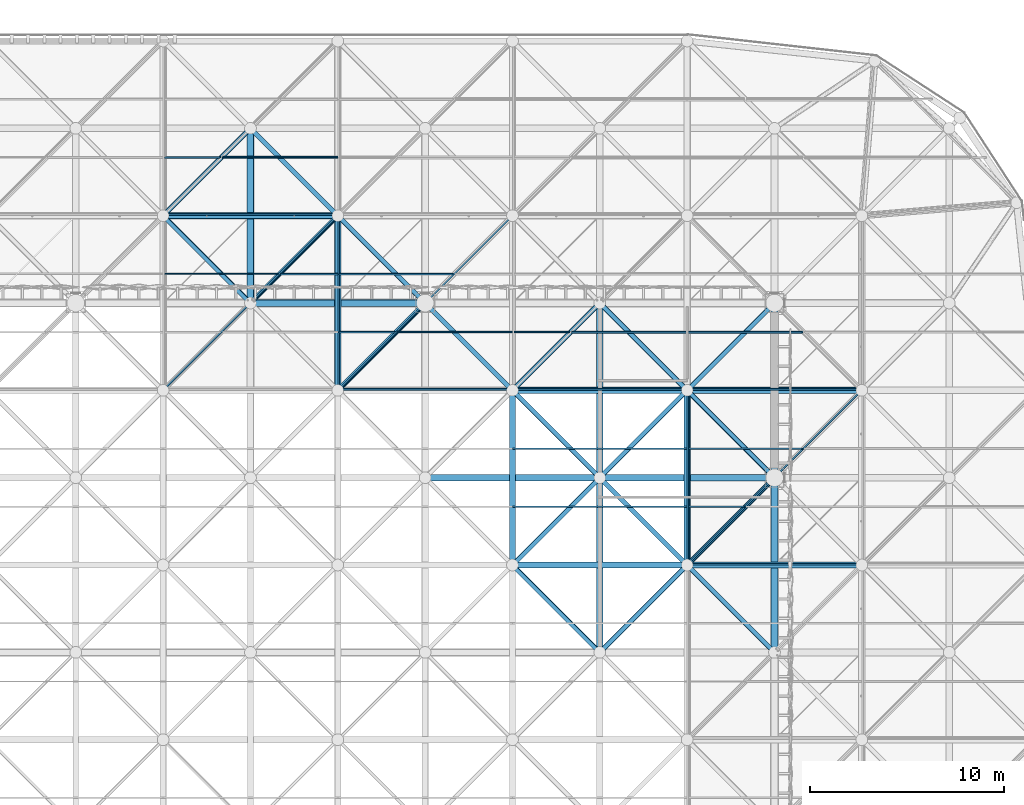
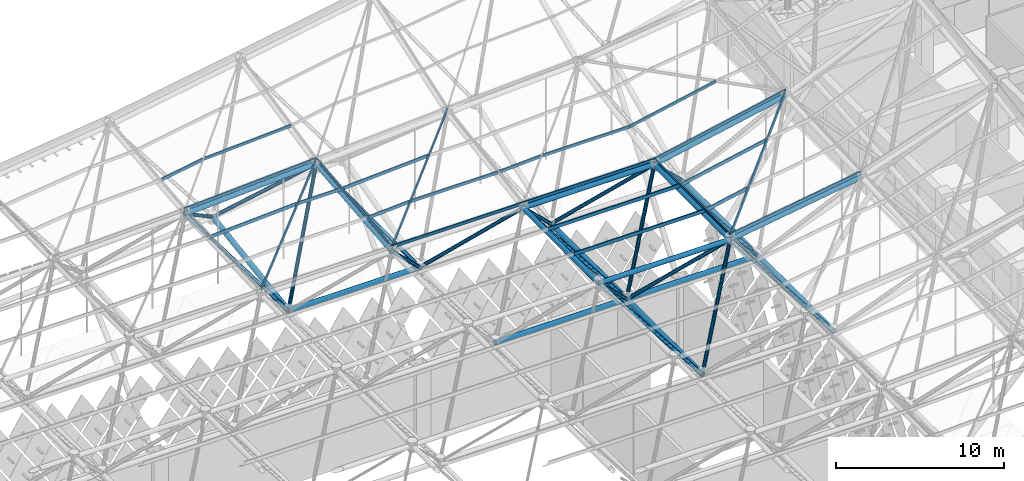
# One storey, part 193 of 437: 59 members.
"""IFC4 building model written with IfcOpenShell, lengths in metres."""

from ifc_helpers import new_model, si_unit, direction, frame, origin, origin_2d, place, context, subcontext, project, spatial, polyline, hollow_circle, outline, extrude, material, material_profile, profile_set, type_object, element, save


model = new_model("IFC4")

# Units and contexts
model_context = context("Model", 3, precision=1e-05, world=origin(), true_north=direction((0.0, 1.0)))
body_context = subcontext(model_context, "Body", "Model", "MODEL_VIEW")
ifc_project = project(units=[si_unit("LENGTHUNIT", "METRE"), si_unit("AREAUNIT", "SQUARE_METRE"), si_unit("VOLUMEUNIT", "CUBIC_METRE"), si_unit("PLANEANGLEUNIT", "RADIAN"), si_unit("MASSUNIT", "GRAM", prefix="KILO")], contexts=[model_context])

# Site, building, storey
site_placement = place(None, origin())
site = spatial("IfcSite", under=ifc_project, at=site_placement, CompositionType="ELEMENT")
building_placement = place(site_placement, origin())
building = spatial("IfcBuilding", under=site, at=building_placement, Name="Opaline Strait Convention Centre", CompositionType="ELEMENT")
storey_placement = place(building_placement, frame((0.0, 0.0, 11.5)))
storey = spatial("IfcBuildingStorey", under=building, at=storey_placement, Name="L02", CompositionType="ELEMENT", Elevation=11.5)

# Members
ifc_material = material(Name="Steel Q355B", Category="steel")
ifc_material_profile_1 = material_profile(ifc_material, outline(polyline([(-0.03759765625, -0.125), (0.03759765625, -0.125), (0.03759765625, -0.10498046875), (0.034912109375, -0.10498046875), (0.034912109375, -0.12255859375), (-0.034912109375, -0.12255859375), (-0.034912109375, 0.12255859375), (0.034912109375, 0.12255859375), (0.034912109375, 0.10498046875), (0.03759765625, 0.10498046875), (0.03759765625, 0.125), (-0.03759765625, 0.125), (-0.03759765625, -0.125)])), Name="C 250x75x20x2.5")
ifc_profile_set_1 = profile_set([ifc_material_profile_1], Name="Steel Q355B")
member_type_1 = type_object("IfcMemberType", Name="Roof purlin C 250x75x20x2.5", PredefinedType="PURLIN", material=ifc_profile_set_1)
for number, where, z_axis, x_axis, name in (
    (1, (247.5, 142.5, 18.257080078125), (1.0, 0.0, 0.0), (0.0, 1.0, 0.0), "EXB-RF-P-18-11-0"),
    (2, (247.5, 145.5, 18.257080078125), (1.0, 0.0, 0.0), (0.0, 1.0, 0.0), "EXB-RF-P-18-11-1"),
):
    element("IfcMember", number, at=place(storey_placement, frame(where, z_axis=z_axis, x_axis=x_axis)), inside=storey, type_object=member_type_1, Name=name, PredefinedType="PURLIN", context=body_context, shape_type="SweptSolid", body=[
        extrude(outline(polyline([(-0.03759765625, -0.125), (0.03759765625, -0.125), (0.03759765625, -0.10498046875), (0.034912109375, -0.10498046875), (0.034912109375, -0.12255859375), (-0.034912109375, -0.12255859375), (-0.034912109375, 0.12255859375), (0.034912109375, 0.12255859375), (0.034912109375, 0.10498046875), (0.03759765625, 0.10498046875), (0.03759765625, 0.125), (-0.03759765625, 0.125), (-0.03759765625, -0.125)])), origin(), (0.0, 0.0, 1.0), 9.0),
    ])
member_1_placement = place(storey_placement, frame((256.5, 139.5, 18.25732421875), z_axis=(0.699848198846, 0.699848198846, 0.142916049287), x_axis=(-0.697561791101, 0.712686479451, -0.074064361226)))
element("IfcMember", 3, at=member_1_placement, inside=storey, type_object=member_type_1, Name="EXB-RF-F-19-11", PredefinedType="PURLIN", context=body_context, shape_type="SweptSolid", body=[
    extrude(outline(polyline([(-0.03759765625, -0.125), (0.03759765625, -0.125), (0.03759765625, -0.10498046875), (0.034912109375, -0.10498046875), (0.034912109375, -0.12255859375), (-0.034912109375, -0.12255859375), (-0.034912109375, 0.12255859375), (0.034912109375, 0.12255859375), (0.034912109375, 0.10498046875), (0.03759765625, 0.10498046875), (0.03759765625, 0.125), (-0.03759765625, 0.125), (-0.03759765625, -0.125)])), origin(), (0.0, 0.0, 1.0), 12.85986328125),
])
member_2_placement = place(storey_placement, frame((256.449951171875, 139.545654296875, 18.2529296875), z_axis=(0.988093016125, 0.0, 0.153857698814), x_axis=(-0.007363297001, 0.998854157138, 0.047287996623)))
element("IfcMember", 4, at=member_2_placement, inside=storey, type_object=member_type_1, Name="EXB-RF-E-19-11a", PredefinedType="PURLIN", context=body_context, shape_type="SweptSolid", body=[
    extrude(outline(polyline([(-0.03759765625, -0.125), (0.03759765625, -0.125), (0.03759765625, -0.10498046875), (0.034912109375, -0.10498046875), (0.034912109375, -0.12255859375), (-0.034912109375, -0.12255859375), (-0.034912109375, 0.12255859375), (0.034912109375, 0.12255859375), (0.034912109375, 0.10498046875), (0.03759765625, 0.10498046875), (0.03759765625, 0.125), (-0.03759765625, 0.125), (-0.03759765625, -0.125)])), origin(), (0.0, 0.0, 1.0), 9.209716796875),
])
member_3_placement = place(storey_placement, frame((256.56396484375, 139.449951171875, 18.272705078125), z_axis=(0.0, 1.0, 0.0), x_axis=(-0.97978004307, 0.0, -0.200077652928)))
element("IfcMember", 5, at=member_3_placement, inside=storey, type_object=member_type_1, Name="EXB-RF-E-19-11b", PredefinedType="PURLIN", context=body_context, shape_type="SweptSolid", body=[
    extrude(outline(polyline([(-0.03759765625, -0.125), (0.03759765625, -0.125), (0.03759765625, -0.10498046875), (0.034912109375, -0.10498046875), (0.034912109375, -0.12255859375), (-0.034912109375, -0.12255859375), (-0.034912109375, 0.12255859375), (0.034912109375, 0.12255859375), (0.034912109375, 0.10498046875), (0.03759765625, 0.10498046875), (0.03759765625, 0.125), (-0.03759765625, 0.125), (-0.03759765625, -0.125)])), origin(), (0.0, 0.0, 1.0), 9.10009765625),
])
member_4_placement = place(storey_placement, frame((256.598388671875, 142.5, 18.27978515625), z_axis=(0.979782251456, 0.0, 0.200066838161), x_axis=(0.0, 1.0, 0.0)))
element("IfcMember", 6, at=member_4_placement, inside=storey, type_object=member_type_1, Name="EXB-RF-P-19-11-0b", PredefinedType="PURLIN", context=body_context, shape_type="SweptSolid", body=[
    extrude(outline(polyline([(-0.03759765625, -0.125), (0.03759765625, -0.125), (0.03759765625, -0.10498046875), (0.034912109375, -0.10498046875), (0.034912109375, -0.12255859375), (-0.034912109375, -0.12255859375), (-0.034912109375, 0.12255859375), (0.034912109375, 0.12255859375), (0.034912109375, 0.10498046875), (0.03759765625, 0.10498046875), (0.03759765625, 0.125), (-0.03759765625, 0.125), (-0.03759765625, -0.125)])), origin(), (0.0, 0.0, 1.0), 2.910400390625),
])
member_5_placement = place(storey_placement, frame((256.598388671875, 145.5, 18.27978515625), z_axis=(0.979783458898, 0.0, 0.200060924894), x_axis=(0.0, 1.0, 0.0)))
element("IfcMember", 7, at=member_5_placement, inside=storey, type_object=member_type_1, Name="EXB-RF-P-19-11-1b", PredefinedType="PURLIN", context=body_context, shape_type="SweptSolid", body=[
    extrude(outline(polyline([(-0.03759765625, -0.125), (0.03759765625, -0.125), (0.03759765625, -0.10498046875), (0.034912109375, -0.10498046875), (0.034912109375, -0.12255859375), (-0.034912109375, -0.12255859375), (-0.034912109375, 0.12255859375), (0.034912109375, 0.12255859375), (0.034912109375, 0.10498046875), (0.03759765625, 0.10498046875), (0.03759765625, 0.125), (-0.03759765625, 0.125), (-0.03759765625, -0.125)])), origin(), (0.0, 0.0, 1.0), 5.972412109375),
])
member_6_placement = place(storey_placement, frame((229.5, 148.5, 18.254638671875), z_axis=(0.705385748856, 0.705385748856, 0.069727258812), x_axis=(-0.706758384602, 0.707423051329, -0.006724004996)))
element("IfcMember", 8, at=member_6_placement, inside=storey, type_object=member_type_1, Name="EXB-RF-F-16-12", PredefinedType="PURLIN", context=body_context, shape_type="SweptSolid", body=[
    extrude(outline(polyline([(-0.03759765625, -0.125), (0.03759765625, -0.125), (0.03759765625, -0.10498046875), (0.034912109375, -0.10498046875), (0.034912109375, -0.12255859375), (-0.034912109375, -0.12255859375), (-0.034912109375, 0.12255859375), (0.034912109375, 0.12255859375), (0.034912109375, 0.10498046875), (0.03759765625, 0.10498046875), (0.03759765625, 0.125), (-0.03759765625, 0.125), (-0.03759765625, -0.125)])), origin(), (0.0, 0.0, 1.0), 12.759033203125),
])
member_7_placement = place(storey_placement, frame((235.550048828125, 154.5, 18.850341796875), z_axis=(1.0, 0.0, 0.0), x_axis=(0.0, 0.995149078082, 0.098378414266)))
element("IfcMember", 9, at=member_7_placement, inside=storey, type_object=member_type_1, Name="EXB-RF-P-16-12-1a", PredefinedType="PURLIN", context=body_context, shape_type="SweptSolid", body=[
    extrude(outline(polyline([(-0.03759765625, -0.125), (0.03759765625, -0.125), (0.03759765625, -0.10498046875), (0.034912109375, -0.10498046875), (0.034912109375, -0.12255859375), (-0.034912109375, -0.12255859375), (-0.034912109375, 0.12255859375), (0.034912109375, 0.12255859375), (0.034912109375, 0.10498046875), (0.03759765625, 0.10498046875), (0.03759765625, 0.125), (-0.03759765625, 0.125), (-0.03759765625, -0.125)])), origin(), (0.0, 0.0, 1.0), 2.949951171875),
])
member_8_placement = place(storey_placement, frame((229.5810546875, 154.5, 18.529541015625), z_axis=(0.998534214741, 0.0, 0.054124135023), x_axis=(-0.002414276433, 0.999004644434, 0.044540898827)))
element("IfcMember", 10, at=member_8_placement, inside=storey, type_object=member_type_1, Name="EXB-RF-P-16-12-1b", PredefinedType="PURLIN", context=body_context, shape_type="SweptSolid", body=[
    extrude(outline(polyline([(-0.03759765625, -0.125), (0.03759765625, -0.125), (0.03759765625, -0.10498046875), (0.034912109375, -0.10498046875), (0.034912109375, -0.12255859375), (-0.034912109375, -0.12255859375), (-0.034912109375, 0.12255859375), (0.034912109375, 0.12255859375), (0.034912109375, 0.10498046875), (0.03759765625, 0.10498046875), (0.03759765625, 0.125), (-0.03759765625, 0.125), (-0.03759765625, -0.125)])), origin(), (0.0, 0.0, 1.0), 5.87744140625),
])
member_9_placement = place(storey_placement, frame((238.5, 148.5, 18.2548828125), z_axis=(0.702859440181, 0.702859440181, 0.109440461877), x_axis=(-0.709082248744, 0.704515580248, 0.029328513489)))
element("IfcMember", 11, at=member_9_placement, inside=storey, type_object=member_type_1, Name="EXB-RF-F-17-12", PredefinedType="PURLIN", context=body_context, shape_type="SweptSolid", body=[
    extrude(outline(polyline([(-0.03759765625, -0.125), (0.03759765625, -0.125), (0.03759765625, -0.10498046875), (0.034912109375, -0.10498046875), (0.034912109375, -0.12255859375), (-0.034912109375, -0.12255859375), (-0.034912109375, 0.12255859375), (0.034912109375, 0.12255859375), (0.034912109375, 0.10498046875), (0.03759765625, 0.10498046875), (0.03759765625, 0.125), (-0.03759765625, 0.125), (-0.03759765625, -0.125)])), origin(), (0.0, 0.0, 1.0), 12.804931640625),
])
member_10_placement = place(storey_placement, frame((238.449951171875, 148.558349609375, 18.2666015625), z_axis=(1.0, 0.0, 0.0), x_axis=(0.0, 0.988092083083, 0.153863690806)))
element("IfcMember", 12, at=member_10_placement, inside=storey, type_object=member_type_1, Name="EXB-RF-E-17-12a", PredefinedType="PURLIN", context=body_context, shape_type="SweptSolid", body=[
    extrude(outline(polyline([(-0.03759765625, -0.125), (0.03759765625, -0.125), (0.03759765625, -0.10498046875), (0.034912109375, -0.10498046875), (0.034912109375, -0.12255859375), (-0.034912109375, -0.12255859375), (-0.034912109375, 0.12255859375), (0.034912109375, 0.12255859375), (0.034912109375, 0.10498046875), (0.03759765625, 0.10498046875), (0.03759765625, 0.125), (-0.03759765625, 0.125), (-0.03759765625, -0.125)])), origin(), (0.0, 0.0, 1.0), 9.10009765625),
])
member_11_placement = place(storey_placement, frame((241.550048828125, 151.5, 18.724609375), z_axis=(1.0, 0.0, 0.0), x_axis=(0.0, 0.988092083083, 0.153863690806)))
element("IfcMember", 13, at=member_11_placement, inside=storey, type_object=member_type_1, Name="EXB-RF-P-17-12-0a", PredefinedType="PURLIN", context=body_context, shape_type="SweptSolid", body=[
    extrude(outline(polyline([(-0.03759765625, -0.125), (0.03759765625, -0.125), (0.03759765625, -0.10498046875), (0.034912109375, -0.10498046875), (0.034912109375, -0.12255859375), (-0.034912109375, -0.12255859375), (-0.034912109375, 0.12255859375), (0.034912109375, 0.12255859375), (0.034912109375, 0.10498046875), (0.03759765625, 0.10498046875), (0.03759765625, 0.125), (-0.03759765625, 0.125), (-0.03759765625, -0.125)])), origin(), (0.0, 0.0, 1.0), 5.949951171875),
])
member_12_placement = place(storey_placement, frame((238.546875, 148.449951171875, 18.255126953125), z_axis=(0.0, 0.99514863855, 0.098382860253), x_axis=(-0.998402930819, 0.005558054974, -0.056220065425)))
element("IfcMember", 14, at=member_12_placement, inside=storey, type_object=member_type_1, Name="EXB-RF-E-17-12b", PredefinedType="PURLIN", context=body_context, shape_type="SweptSolid", body=[
    extrude(outline(polyline([(-0.03759765625, -0.125), (0.03759765625, -0.125), (0.03759765625, -0.10498046875), (0.034912109375, -0.10498046875), (0.034912109375, -0.12255859375), (-0.034912109375, -0.12255859375), (-0.034912109375, 0.12255859375), (0.034912109375, 0.12255859375), (0.034912109375, 0.10498046875), (0.03759765625, 0.10498046875), (0.03759765625, 0.125), (-0.03759765625, 0.125), (-0.03759765625, -0.125)])), origin(), (0.0, 0.0, 1.0), 9.14453125),
])
member_13_placement = place(storey_placement, frame((238.581298828125, 151.5, 18.55859375), z_axis=(0.998387885039, 0.0, 0.056759413379), x_axis=(-0.005583901083, 0.995149078082, 0.098219816952)))
element("IfcMember", 15, at=member_13_placement, inside=storey, type_object=member_type_1, Name="EXB-RF-P-17-12-0b", PredefinedType="PURLIN", context=body_context, shape_type="SweptSolid", body=[
    extrude(outline(polyline([(-0.03759765625, -0.125), (0.03759765625, -0.125), (0.03759765625, -0.10498046875), (0.034912109375, -0.10498046875), (0.034912109375, -0.12255859375), (-0.034912109375, -0.12255859375), (-0.034912109375, 0.12255859375), (0.034912109375, 0.12255859375), (0.034912109375, 0.10498046875), (0.03759765625, 0.10498046875), (0.03759765625, 0.125), (-0.03759765625, 0.125), (-0.03759765625, -0.125)])), origin(), (0.0, 0.0, 1.0), 2.873291015625),
])
member_14_placement = place(storey_placement, frame((238.581298828125, 154.5, 18.855224609375), z_axis=(0.998389263673, 0.0, 0.056735158257), x_axis=(-0.005581514902, 0.995149078082, 0.09821995258)))
element("IfcMember", 16, at=member_14_placement, inside=storey, type_object=member_type_1, Name="EXB-RF-P-17-12-1b", PredefinedType="PURLIN", context=body_context, shape_type="SweptSolid", body=[
    extrude(outline(polyline([(-0.03759765625, -0.125), (0.03759765625, -0.125), (0.03759765625, -0.10498046875), (0.034912109375, -0.10498046875), (0.034912109375, -0.12255859375), (-0.034912109375, -0.12255859375), (-0.034912109375, 0.12255859375), (0.034912109375, 0.12255859375), (0.034912109375, 0.10498046875), (0.03759765625, 0.10498046875), (0.03759765625, 0.125), (-0.03759765625, 0.125), (-0.03759765625, -0.125)])), origin(), (0.0, 0.0, 1.0), 5.878173828125),
])
member_15_placement = place(storey_placement, frame((247.449951171875, 148.56396484375, 18.270751953125), z_axis=(1.0, 0.0, 0.0), x_axis=(0.0, 0.97978004307, 0.200077652928)))
element("IfcMember", 17, at=member_15_placement, inside=storey, type_object=member_type_1, Name="EXB-RF-E-18-12a", PredefinedType="PURLIN", context=body_context, shape_type="SweptSolid", body=[
    extrude(outline(polyline([(-0.03759765625, -0.125), (0.03759765625, -0.125), (0.03759765625, -0.10498046875), (0.034912109375, -0.10498046875), (0.034912109375, -0.12255859375), (-0.034912109375, -0.12255859375), (-0.034912109375, 0.12255859375), (0.034912109375, 0.12255859375), (0.034912109375, 0.10498046875), (0.03759765625, 0.10498046875), (0.03759765625, 0.125), (-0.03759765625, 0.125), (-0.03759765625, -0.125)])), origin(), (0.0, 0.0, 1.0), 9.10009765625),
])
member_16_placement = place(storey_placement, frame((250.550048828125, 151.5, 18.870361328125), z_axis=(1.0, 0.0, 0.0), x_axis=(0.0, 0.97978004307, 0.200077652928)))
element("IfcMember", 18, at=member_16_placement, inside=storey, type_object=member_type_1, Name="EXB-RF-P-18-12-0a", PredefinedType="PURLIN", context=body_context, shape_type="SweptSolid", body=[
    extrude(outline(polyline([(-0.03759765625, -0.125), (0.03759765625, -0.125), (0.03759765625, -0.10498046875), (0.034912109375, -0.10498046875), (0.034912109375, -0.12255859375), (-0.034912109375, -0.12255859375), (-0.034912109375, 0.12255859375), (0.034912109375, 0.12255859375), (0.034912109375, 0.10498046875), (0.03759765625, 0.10498046875), (0.03759765625, 0.125), (-0.03759765625, 0.125), (-0.03759765625, -0.125)])), origin(), (0.0, 0.0, 1.0), 5.949951171875),
])
member_17_placement = place(storey_placement, frame((247.580322265625, 151.5, 18.728515625), z_axis=(0.998826229539, 0.0, 0.048437208681), x_axis=(-0.0074527277, 0.988092083083, 0.153683090151)))
element("IfcMember", 19, at=member_17_placement, inside=storey, type_object=member_type_1, Name="EXB-RF-P-18-12-0b", PredefinedType="PURLIN", context=body_context, shape_type="SweptSolid", body=[
    extrude(outline(polyline([(-0.03759765625, -0.125), (0.03759765625, -0.125), (0.03759765625, -0.10498046875), (0.034912109375, -0.10498046875), (0.034912109375, -0.12255859375), (-0.034912109375, -0.12255859375), (-0.034912109375, 0.12255859375), (0.034912109375, 0.12255859375), (0.034912109375, 0.10498046875), (0.03759765625, 0.10498046875), (0.03759765625, 0.125), (-0.03759765625, 0.125), (-0.03759765625, -0.125)])), origin(), (0.0, 0.0, 1.0), 2.873046875),
])
member_18_placement = place(storey_placement, frame((256.449951171875, 148.5634765625, 18.26318359375), z_axis=(0.979783138157, 0.0, 0.200062495694), x_axis=(-0.039250095094, 0.980566065775, 0.192222841219)))
element("IfcMember", 20, at=member_18_placement, inside=storey, type_object=member_type_1, Name="EXB-RF-E-19-12b", PredefinedType="PURLIN", context=body_context, shape_type="SweptSolid", body=[
    extrude(outline(polyline([(-0.03759765625, -0.125), (0.03759765625, -0.125), (0.03759765625, -0.10498046875), (0.034912109375, -0.10498046875), (0.034912109375, -0.12255859375), (-0.034912109375, -0.12255859375), (-0.034912109375, 0.12255859375), (0.034912109375, 0.12255859375), (0.034912109375, 0.10498046875), (0.03759765625, 0.10498046875), (0.03759765625, 0.125), (-0.03759765625, 0.125), (-0.03759765625, -0.125)])), origin(), (0.0, 0.0, 1.0), 9.287841796875),
])
member_19_placement = place(storey_placement, frame((256.5, 151.5, 18.872802734375), z_axis=(0.979777848747, 0.0, 0.200088398228), x_axis=(-0.040033217095, 0.97978004307, 0.196031652368)))
element("IfcMember", 21, at=member_19_placement, inside=storey, type_object=member_type_1, Name="EXB-RF-P-19-12-0b", PredefinedType="PURLIN", context=body_context, shape_type="SweptSolid", body=[
    extrude(outline(polyline([(-0.03759765625, -0.125), (0.03759765625, -0.125), (0.03759765625, -0.10498046875), (0.034912109375, -0.10498046875), (0.034912109375, -0.12255859375), (-0.034912109375, -0.12255859375), (-0.034912109375, 0.12255859375), (0.034912109375, 0.12255859375), (0.034912109375, 0.10498046875), (0.03759765625, 0.10498046875), (0.03759765625, 0.125), (-0.03759765625, 0.125), (-0.03759765625, -0.125)])), origin(), (0.0, 0.0, 1.0), 6.07275390625),
])
member_20_placement = place(storey_placement, frame((229.449951171875, 157.565673828125, 18.671630859375), z_axis=(0.998533323421, 0.0, 0.054140576451), x_axis=(-0.011602359597, 0.976767751484, 0.213986319453)))
element("IfcMember", 22, at=member_20_placement, inside=storey, type_object=member_type_1, Name="EXB-RF-E-16-13a", PredefinedType="PURLIN", context=body_context, shape_type="SweptSolid", body=[
    extrude(outline(polyline([(-0.03759765625, -0.125), (0.03759765625, -0.125), (0.03759765625, -0.10498046875), (0.034912109375, -0.10498046875), (0.034912109375, -0.12255859375), (-0.034912109375, -0.12255859375), (-0.034912109375, 0.12255859375), (0.034912109375, 0.12255859375), (0.034912109375, 0.10498046875), (0.03759765625, 0.10498046875), (0.03759765625, 0.125), (-0.03759765625, 0.125), (-0.03759765625, -0.125)])), origin(), (0.0, 0.0, 1.0), 9.113525390625),
])
member_21_placement = place(storey_placement, frame((232.550048828125, 160.5, 19.484375), z_axis=(0.998534204977, 0.0, 0.05412431516), x_axis=(-0.011615113786, 0.976701876974, 0.214286099985)))
element("IfcMember", 23, at=member_21_placement, inside=storey, type_object=member_type_1, Name="EXB-RF-P-16-13-0a", PredefinedType="PURLIN", context=body_context, shape_type="SweptSolid", body=[
    extrude(outline(polyline([(-0.03759765625, -0.125), (0.03759765625, -0.125), (0.03759765625, -0.10498046875), (0.034912109375, -0.10498046875), (0.034912109375, -0.12255859375), (-0.034912109375, -0.12255859375), (-0.034912109375, 0.12255859375), (0.034912109375, 0.12255859375), (0.034912109375, 0.10498046875), (0.03759765625, 0.10498046875), (0.03759765625, 0.125), (-0.03759765625, 0.125), (-0.03759765625, -0.125)])), origin(), (0.0, 0.0, 1.0), 5.958740234375),
])
member_22_placement = place(storey_placement, frame((229.594482421875, 160.5, 18.989501953125), z_axis=(0.985902048342, 0.0, 0.167323492301), x_axis=(-0.017344553021, 0.994612915883, 0.10219742677)))
element("IfcMember", 24, at=member_22_placement, inside=storey, type_object=member_type_1, Name="EXB-RF-P-16-13-0b", PredefinedType="PURLIN", context=body_context, shape_type="SweptSolid", body=[
    extrude(outline(polyline([(-0.03759765625, -0.125), (0.03759765625, -0.125), (0.03759765625, -0.10498046875), (0.034912109375, -0.10498046875), (0.034912109375, -0.12255859375), (-0.034912109375, -0.12255859375), (-0.034912109375, 0.12255859375), (0.034912109375, 0.12255859375), (0.034912109375, 0.10498046875), (0.03759765625, 0.10498046875), (0.03759765625, 0.125), (-0.03759765625, 0.125), (-0.03759765625, -0.125)])), origin(), (0.0, 0.0, 1.0), 2.896240234375),
])
ifc_material_profile_2 = material_profile(ifc_material, hollow_circle(Radius=0.175537109375, WallThickness=0.01611328125, at=origin_2d()), Name="CHS 351x16")
ifc_profile_set_2 = profile_set([ifc_material_profile_2], Name="Steel Q355B")
member_type_2 = type_object("IfcMemberType", Name="Space frame bottom chord CHS 351x16", PredefinedType="CHORD", material=ifc_profile_set_2)
for number, where, z_axis, x_axis, name in (
    (25, (242.949951171875, 144.0, 12.5), (1.0, 0.0, 0.0), (0.0, 1.0, 0.0), "EXB-RF-BX-17-11"),
    (26, (251.949951171875, 144.0, 12.5), (1.0, 0.0, 0.0), (0.0, 1.0, 0.0), "EXB-RF-BX-18-11"),
    (27, (233.949951171875, 153.0, 12.5), (1.0, 0.0, 0.0), (0.0, 1.0, 0.0), "EXB-RF-BX-16-12"),
):
    element("IfcMember", number, at=place(storey_placement, frame(where, z_axis=z_axis, x_axis=x_axis)), inside=storey, type_object=member_type_2, Name=name, PredefinedType="CHORD", context=body_context, shape_type="SweptSolid", body=[
        extrude(hollow_circle(Radius=0.175537109375, WallThickness=0.01611328125, at=origin_2d()), origin(), (0.0, 0.0, 1.0), 9.10009765625),
    ])
member_23_placement = place(storey_placement, frame((234.0, 152.950439453125, 12.49267578125), z_axis=(0.0, 0.988864228986, 0.148820484582), x_axis=(-1.0, 0.0, 0.0)))
element("IfcMember", 28, at=member_23_placement, inside=storey, type_object=member_type_2, Name="EXB-RF-BY-16-12", PredefinedType="CHORD", context=body_context, shape_type="SweptSolid", body=[
    extrude(hollow_circle(Radius=0.175537109375, WallThickness=0.01611328125, at=origin_2d()), origin(), (0.0, 0.0, 1.0), 9.20166015625),
])
for number, where, z_axis, x_axis, name in (
    (29, (252.0, 134.949951171875, 12.5), (0.0, 1.0, 0.0), (-1.0, 0.0, 0.0), "EXB-RF-BY-18-10"),
    (30, (252.0, 143.949951171875, 12.5), (0.0, 1.0, 0.0), (-1.0, 0.0, 0.0), "EXB-RF-BY-18-11"),
    (31, (261.0, 134.949951171875, 12.5), (0.0, 1.0, 0.0), (-1.0, 0.0, 0.0), "EXB-RF-BY-19-10"),
    (32, (261.0, 143.949951171875, 12.5), (0.0, 1.0, 0.0), (-1.0, 0.0, 0.0), "EXB-RF-BY-19-11"),
):
    element("IfcMember", number, at=place(storey_placement, frame(where, z_axis=z_axis, x_axis=x_axis)), inside=storey, type_object=member_type_2, Name=name, PredefinedType="CHORD", context=body_context, shape_type="SweptSolid", body=[
        extrude(hollow_circle(Radius=0.175537109375, WallThickness=0.01611328125, at=origin_2d()), origin(), (0.0, 0.0, 1.0), 9.10009765625),
    ])
ifc_material_profile_3 = material_profile(ifc_material, hollow_circle(Radius=0.16259765625, WallThickness=0.02001953125, at=origin_2d()), Name="CHS 325x20")
ifc_profile_set_3 = profile_set([ifc_material_profile_3], Name="Steel Q355B")
member_type_3 = type_object("IfcMemberType", Name="Space frame top chord CHS 325x20", PredefinedType="CHORD", material=ifc_profile_set_3)
member_24_placement = place(storey_placement, frame((247.449951171875, 139.5, 17.971435546875), z_axis=(1.0, 0.0, 0.0), x_axis=(0.0, 1.0, 0.0)))
element("IfcMember", 33, at=member_24_placement, inside=storey, type_object=member_type_3, Name="EXB-RF-TX-18-11", PredefinedType="CHORD", context=body_context, shape_type="SweptSolid", body=[
    extrude(hollow_circle(Radius=0.16259765625, WallThickness=0.02001953125, at=origin_2d()), origin(), (0.0, 0.0, 1.0), 9.10009765625),
])
member_25_placement = place(storey_placement, frame((256.45068359375, 139.5, 17.9638671875), z_axis=(0.988093281059, 0.0, 0.15385599737), x_axis=(0.0, 1.0, 0.0)))
element("IfcMember", 34, at=member_25_placement, inside=storey, type_object=member_type_3, Name="EXB-RF-TX-19-11", PredefinedType="CHORD", context=body_context, shape_type="SweptSolid", body=[
    extrude(hollow_circle(Radius=0.16259765625, WallThickness=0.02001953125, at=origin_2d()), origin(), (0.0, 0.0, 1.0), 9.208251953125),
])
member_26_placement = place(storey_placement, frame((247.449951171875, 148.5, 17.971435546875), z_axis=(1.0, 0.0, 0.0), x_axis=(0.0, 1.0, 0.0)))
element("IfcMember", 35, at=member_26_placement, inside=storey, type_object=member_type_3, Name="EXB-RF-TX-18-12", PredefinedType="CHORD", context=body_context, shape_type="SweptSolid", body=[
    extrude(hollow_circle(Radius=0.16259765625, WallThickness=0.02001953125, at=origin_2d()), origin(), (0.0, 0.0, 1.0), 9.10009765625),
])
member_27_placement = place(storey_placement, frame((256.450927734375, 148.5, 17.96142578125), z_axis=(0.979779873088, 0.0, 0.200078485327), x_axis=(0.0, 1.0, 0.0)))
element("IfcMember", 36, at=member_27_placement, inside=storey, type_object=member_type_3, Name="EXB-RF-TX-19-12", PredefinedType="CHORD", context=body_context, shape_type="SweptSolid", body=[
    extrude(hollow_circle(Radius=0.16259765625, WallThickness=0.02001953125, at=origin_2d()), origin(), (0.0, 0.0, 1.0), 9.285888671875),
])
member_28_placement = place(storey_placement, frame((229.4501953125, 157.5, 18.37060546875), z_axis=(0.99853316636, 0.0, 0.054143473095), x_axis=(0.0, 1.0, 0.0)))
element("IfcMember", 37, at=member_28_placement, inside=storey, type_object=member_type_3, Name="EXB-RF-TX-16-13", PredefinedType="CHORD", context=body_context, shape_type="SweptSolid", body=[
    extrude(hollow_circle(Radius=0.16259765625, WallThickness=0.02001953125, at=origin_2d()), origin(), (0.0, 0.0, 1.0), 9.113037109375),
])
member_29_placement = place(storey_placement, frame((238.5, 148.4501953125, 17.966552734375), z_axis=(0.0, 0.995148121675, 0.098388088334), x_axis=(-1.0, 0.0, 0.0)))
element("IfcMember", 38, at=member_29_placement, inside=storey, type_object=member_type_3, Name="EXB-RF-TY-17-12", PredefinedType="CHORD", context=body_context, shape_type="SweptSolid", body=[
    extrude(hollow_circle(Radius=0.16259765625, WallThickness=0.02001953125, at=origin_2d()), origin(), (0.0, 0.0, 1.0), 9.14404296875),
])
for number, where, z_axis, x_axis, name in (
    (39, (247.5, 139.449951171875, 17.971435546875), (0.0, 1.0, 0.0), (-1.0, 0.0, 0.0), "EXB-RF-TY-18-11"),
    (40, (256.5, 139.449951171875, 17.971435546875), (0.0, 1.0, 0.0), (-1.0, 0.0, 0.0), "EXB-RF-TY-19-11"),
):
    element("IfcMember", number, at=place(storey_placement, frame(where, z_axis=z_axis, x_axis=x_axis)), inside=storey, type_object=member_type_3, Name=name, PredefinedType="CHORD", context=body_context, shape_type="SweptSolid", body=[
        extrude(hollow_circle(Radius=0.16259765625, WallThickness=0.02001953125, at=origin_2d()), origin(), (0.0, 0.0, 1.0), 9.10009765625),
    ])
ifc_material_profile_4 = material_profile(ifc_material, hollow_circle(Radius=0.12255859375, WallThickness=0.011962890625, at=origin_2d()), Name="CHS 245x12")
ifc_profile_set_4 = profile_set([ifc_material_profile_4], Name="Steel Q355B")
member_type_4 = type_object("IfcMemberType", Name="Space frame web CHS 245x12", PredefinedType="BRACE", material=ifc_profile_set_4)
member_30_placement = place(storey_placement, frame((229.47412109375, 157.52587890625, 18.4072265625), z_axis=(0.519617871627, -0.519617871627, -0.678228969429), x_axis=(0.707106781187, 0.707106781187, 0.0)))
element("IfcMember", 41, at=member_30_placement, inside=storey, type_object=member_type_4, Name="EXB-RF-W-16-12-01", PredefinedType="BRACE", context=body_context, shape_type="SweptSolid", body=[
    extrude(hollow_circle(Radius=0.12255859375, WallThickness=0.011962890625, at=origin_2d()), origin(), (0.0, 0.0, 1.0), 8.759765625),
])
member_31_placement = place(storey_placement, frame((238.52490234375, 157.52490234375, 18.896484375), z_axis=(-0.50009756062, -0.50009756062, -0.706968782708), x_axis=(0.707106781187, -0.707106781187, 0.0)))
element("IfcMember", 42, at=member_31_placement, inside=storey, type_object=member_type_4, Name="EXB-RF-W-16-12-11", PredefinedType="BRACE", context=body_context, shape_type="SweptSolid", body=[
    extrude(hollow_circle(Radius=0.12255859375, WallThickness=0.011962890625, at=origin_2d()), origin(), (0.0, 0.0, 1.0), 9.097900390625),
])
member_32_placement = place(storey_placement, frame((229.47119140625, 157.47119140625, 18.40234375), z_axis=(0.576535854323, 0.576535854323, -0.578975662149), x_axis=(-0.707106781187, 0.707106781187, 0.0)))
element("IfcMember", 43, at=member_32_placement, inside=storey, type_object=member_type_4, Name="EXB-RF-W-16-13-00", PredefinedType="BRACE", context=body_context, shape_type="SweptSolid", body=[
    extrude(hollow_circle(Radius=0.12255859375, WallThickness=0.011962890625, at=origin_2d()), origin(), (0.0, 0.0, 1.0), 7.9052734375),
])
member_33_placement = place(storey_placement, frame((238.52783203125, 157.47216796875, 18.89208984375), z_axis=(-0.555738694164, 0.555738694164, -0.618311416374), x_axis=(-0.707106781187, -0.707106781187, 0.0)))
element("IfcMember", 44, at=member_33_placement, inside=storey, type_object=member_type_4, Name="EXB-RF-W-16-13-10", PredefinedType="BRACE", context=body_context, shape_type="SweptSolid", body=[
    extrude(hollow_circle(Radius=0.12255859375, WallThickness=0.011962890625, at=origin_2d()), origin(), (0.0, 0.0, 1.0), 8.197509765625),
])
member_34_placement = place(storey_placement, frame((238.47314453125, 148.47314453125, 18.004150390625), z_axis=(0.536178220346, 0.536178220346, -0.6519400525), x_axis=(-0.707106781187, 0.707106781187, 0.0)))
element("IfcMember", 45, at=member_34_placement, inside=storey, type_object=member_type_4, Name="EXB-RF-W-17-12-00", PredefinedType="BRACE", context=body_context, shape_type="SweptSolid", body=[
    extrude(hollow_circle(Radius=0.12255859375, WallThickness=0.011962890625, at=origin_2d()), origin(), (0.0, 0.0, 1.0), 8.492919921875),
])
member_35_placement = place(storey_placement, frame((238.47509765625, 157.52490234375, 18.896484375), z_axis=(0.50009756062, -0.50009756062, -0.706968782708), x_axis=(0.707106781187, 0.707106781187, 0.0)))
element("IfcMember", 46, at=member_35_placement, inside=storey, type_object=member_type_4, Name="EXB-RF-W-17-12-01", PredefinedType="BRACE", context=body_context, shape_type="SweptSolid", body=[
    extrude(hollow_circle(Radius=0.12255859375, WallThickness=0.011962890625, at=origin_2d()), origin(), (0.0, 0.0, 1.0), 9.097900390625),
])
for number, where, z_axis, x_axis, name in (
    (47, (247.52685546875, 148.47314453125, 18.004150390625), (-0.536178220346, 0.536178220346, -0.6519400525), (-0.707106781187, -0.707106781187, 0.0), "EXB-RF-W-17-12-10"),
    (48, (247.47314453125, 139.52685546875, 18.004150390625), (0.536178220346, -0.536178220346, -0.6519400525), (0.707106781187, 0.707106781187, 0.0), "EXB-RF-W-18-10-01"),
    (49, (256.52685546875, 139.52685546875, 18.004150390625), (-0.536178220346, -0.536178220346, -0.6519400525), (0.707106781187, -0.707106781187, 0.0), "EXB-RF-W-18-10-11"),
    (50, (247.47314453125, 139.47314453125, 18.004150390625), (0.536178220346, 0.536178220346, -0.6519400525), (-0.707106781187, 0.707106781187, 0.0), "EXB-RF-W-18-11-00"),
    (51, (247.47314453125, 148.52685546875, 18.004150390625), (0.536178220346, -0.536178220346, -0.6519400525), (0.707106781187, 0.707106781187, 0.0), "EXB-RF-W-18-11-01"),
    (52, (256.52685546875, 139.47314453125, 18.004150390625), (-0.536178220346, 0.536178220346, -0.6519400525), (-0.707106781187, -0.707106781187, 0.0), "EXB-RF-W-18-11-10"),
    (53, (256.52685546875, 148.52685546875, 18.004150390625), (-0.536178220346, -0.536178220346, -0.6519400525), (0.707106781187, -0.707106781187, 0.0), "EXB-RF-W-18-11-11"),
    (54, (247.47314453125, 148.47314453125, 18.004150390625), (0.536178220346, 0.536178220346, -0.6519400525), (-0.707106781187, 0.707106781187, 0.0), "EXB-RF-W-18-12-00"),
    (55, (256.52685546875, 148.47314453125, 18.004150390625), (-0.536178220346, 0.536178220346, -0.6519400525), (-0.707106781187, -0.707106781187, 0.0), "EXB-RF-W-18-12-10"),
    (56, (256.47314453125, 139.52685546875, 18.004150390625), (0.536178220346, -0.536178220346, -0.6519400525), (0.707106781187, 0.707106781187, 0.0), "EXB-RF-W-19-10-01"),
    (57, (256.47314453125, 139.47314453125, 18.004150390625), (0.536178220346, 0.536178220346, -0.6519400525), (-0.707106781187, 0.707106781187, 0.0), "EXB-RF-W-19-11-00"),
    (58, (256.47314453125, 148.52685546875, 18.004150390625), (0.536178220346, -0.536178220346, -0.6519400525), (0.707106781187, 0.707106781187, 0.0), "EXB-RF-W-19-11-01"),
    (59, (256.47314453125, 148.47314453125, 18.004150390625), (0.536178220346, 0.536178220346, -0.6519400525), (-0.707106781187, 0.707106781187, 0.0), "EXB-RF-W-19-12-00"),
):
    element("IfcMember", number, at=place(storey_placement, frame(where, z_axis=z_axis, x_axis=x_axis)), inside=storey, type_object=member_type_4, Name=name, PredefinedType="BRACE", context=body_context, shape_type="SweptSolid", body=[
        extrude(hollow_circle(Radius=0.12255859375, WallThickness=0.011962890625, at=origin_2d()), origin(), (0.0, 0.0, 1.0), 8.492919921875),
    ])

save(model, "model.ifc")
